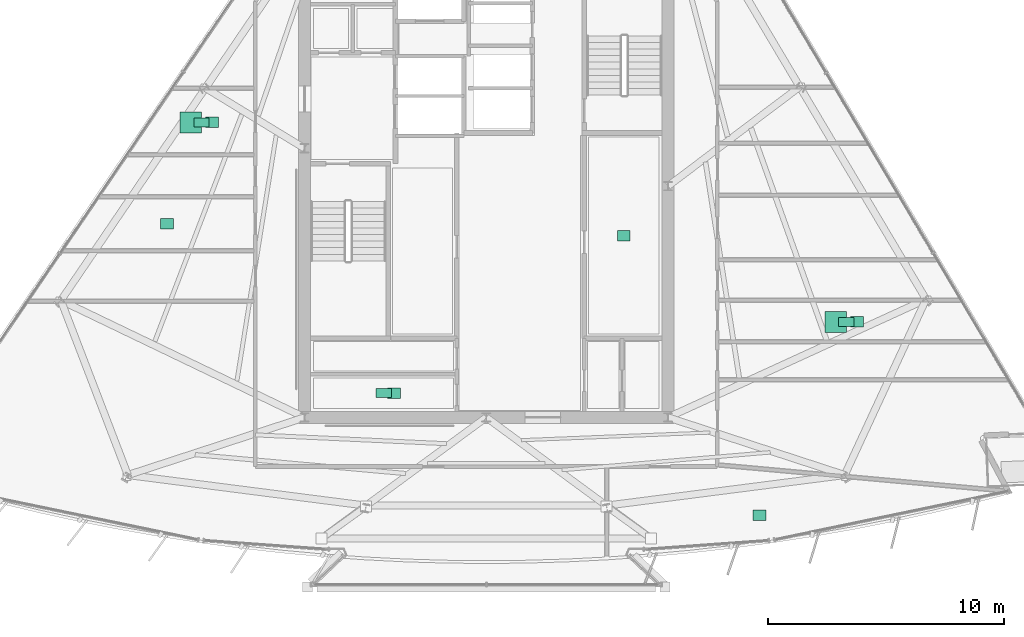
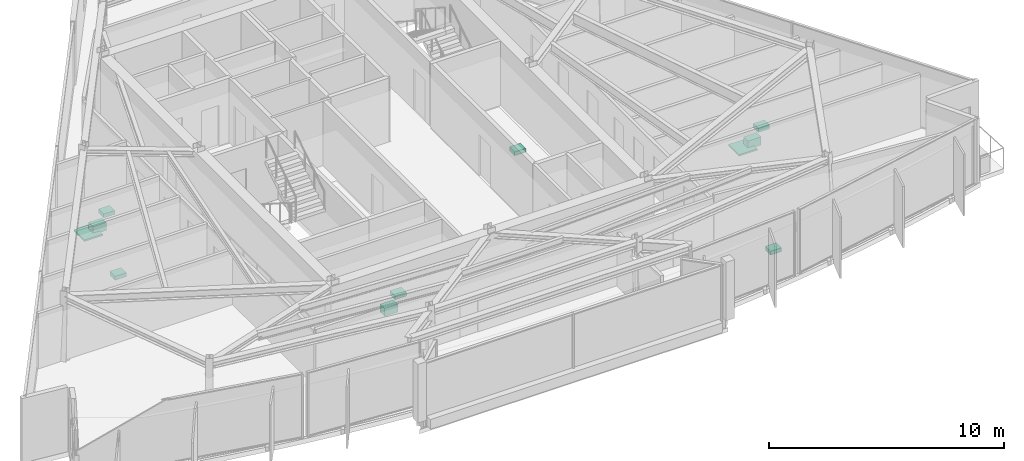
# One storey, part 13 of 13: 11 sanitary terminals.
"""IFC4 building model written with IfcOpenShell, lengths in metres."""

from ifc_helpers import new_model, si_unit, direction, frame, origin, origin_2d, place, context, subcontext, project, spatial, rectangle, extrude, material, type_object, element, save


model = new_model("IFC4")

# Units and contexts
model_context = context("Model", 3, precision=1e-05, world=origin(), true_north=direction((0.0, 1.0)))
body_context = subcontext(model_context, "Body", "Model", "MODEL_VIEW")
ifc_project = project(units=[si_unit("LENGTHUNIT", "METRE"), si_unit("AREAUNIT", "SQUARE_METRE"), si_unit("VOLUMEUNIT", "CUBIC_METRE"), si_unit("PLANEANGLEUNIT", "RADIAN"), si_unit("MASSUNIT", "GRAM", prefix="KILO")], contexts=[model_context])

# Site, building, storey
site_placement = place(None, origin())
site = spatial("IfcSite", under=ifc_project, at=site_placement, CompositionType="ELEMENT")
building_placement = place(site_placement, origin())
building = spatial("IfcBuilding", under=site, at=building_placement, Name="Savorim Split Tower", CompositionType="ELEMENT")
storey_placement = place(building_placement, frame((0.0, 0.0, 283.199951171875)))
storey = spatial("IfcBuildingStorey", under=building, at=storey_placement, Name="L75", CompositionType="ELEMENT", Elevation=283.199951171875)

# Sanitary terminals
ifc_material = material(Name="Vitreous China Sanitaryware")
sanitary_terminal_type_1 = type_object("IfcSanitaryTerminalType", Name="SAN-SHW-900", PredefinedType="SHOWER", material=ifc_material)
for number, where, z_axis, x_axis, name in (
    (1, (14.804443359375, -5.35498046875, 0.0), (0.0, 0.0, 1.0), (1.0, 0.0, 0.0), "L75 Shared Bathroom Shower"),
    (2, (-12.515869140625, 3.097900390625, 0.0), (0.0, 0.0, 1.0), (1.0, 0.0, 0.0), "L75 Shared Bathroom Shower"),
):
    element("IfcSanitaryTerminal", number, at=place(storey_placement, frame(where, z_axis=z_axis, x_axis=x_axis)), inside=storey, type_object=sanitary_terminal_type_1, Name=name, PredefinedType="SHOWER", context=body_context, shape_type="SweptSolid", body=[
        extrude(rectangle(XDim=0.89990234375, YDim=0.89990234375, at=origin_2d()), origin(), (0.0, 0.0, 1.0), 0.080078125),
    ])
sanitary_terminal_type_2 = type_object("IfcSanitaryTerminalType", Name="SAN-WC-PAN", PredefinedType="TOILETPAN", material=ifc_material)
for number, where, z_axis, x_axis, name in (
    (3, (-4.35009765625, -8.3701171875, 0.0), (0.0, 0.0, 1.0), (1.0, 0.0, 0.0), "L75 Public WC WC Pan"),
    (4, (15.25439453125, -5.35498046875, 0.0), (0.0, 0.0, 1.0), (1.0, 0.0, 0.0), "L75 Shared Bathroom WC Pan"),
    (5, (-12.06591796875, 3.097900390625, 0.0), (0.0, 0.0, 1.0), (1.0, 0.0, 0.0), "L75 Shared Bathroom WC Pan"),
):
    element("IfcSanitaryTerminal", number, at=place(storey_placement, frame(where, z_axis=z_axis, x_axis=x_axis)), inside=storey, type_object=sanitary_terminal_type_2, Name=name, PredefinedType="TOILETPAN", context=body_context, shape_type="SweptSolid", body=[
        extrude(rectangle(XDim=0.64990234375, YDim=0.3798828125, at=origin_2d()), origin(), (0.0, 0.0, 1.0), 0.419921875),
    ])
sanitary_terminal_type_3 = type_object("IfcSanitaryTerminalType", Name="SAN-WHB-550", PredefinedType="WASHHANDBASIN", material=ifc_material)
for number, where, z_axis, x_axis, name in (
    (6, (5.824951171875, -1.699951171875, 0.75), (0.0, 0.0, 1.0), (1.0, 0.0, 0.0), "L75 Community Laundry Room Utility Sink"),
    (7, (-3.89990234375, -8.3701171875, 0.72021484375), (0.0, 0.0, 1.0), (1.0, 0.0, 0.0), "L75 Public WC Washhand Basin"),
    (8, (-13.5244140625, -1.190185546875, 0.75), (0.0, 0.0, 1.0), (1.0, 0.0, 0.0), "L75 Shared Kitchen Utility Sink"),
    (9, (11.5751953125, -13.539306640625, 0.75), (0.0, 0.0, 1.0), (1.0, 0.0, 0.0), "L75 Communal Kitchen Utility Sink"),
    (10, (15.704345703125, -5.35498046875, 0.72021484375), (0.0, 0.0, 1.0), (1.0, 0.0, 0.0), "L75 Shared Bathroom Washhand Basin"),
    (11, (-11.615966796875, 3.097900390625, 0.72021484375), (0.0, 0.0, 1.0), (1.0, 0.0, 0.0), "L75 Shared Bathroom Washhand Basin"),
):
    element("IfcSanitaryTerminal", number, at=place(storey_placement, frame(where, z_axis=z_axis, x_axis=x_axis)), inside=storey, type_object=sanitary_terminal_type_3, Name=name, PredefinedType="WASHHANDBASIN", context=body_context, shape_type="SweptSolid", body=[
        extrude(rectangle(XDim=0.550048828125, YDim=0.449951171875, at=origin_2d()), origin(), (0.0, 0.0, 1.0), 0.199951171875),
    ])

save(model, "model.ifc")
